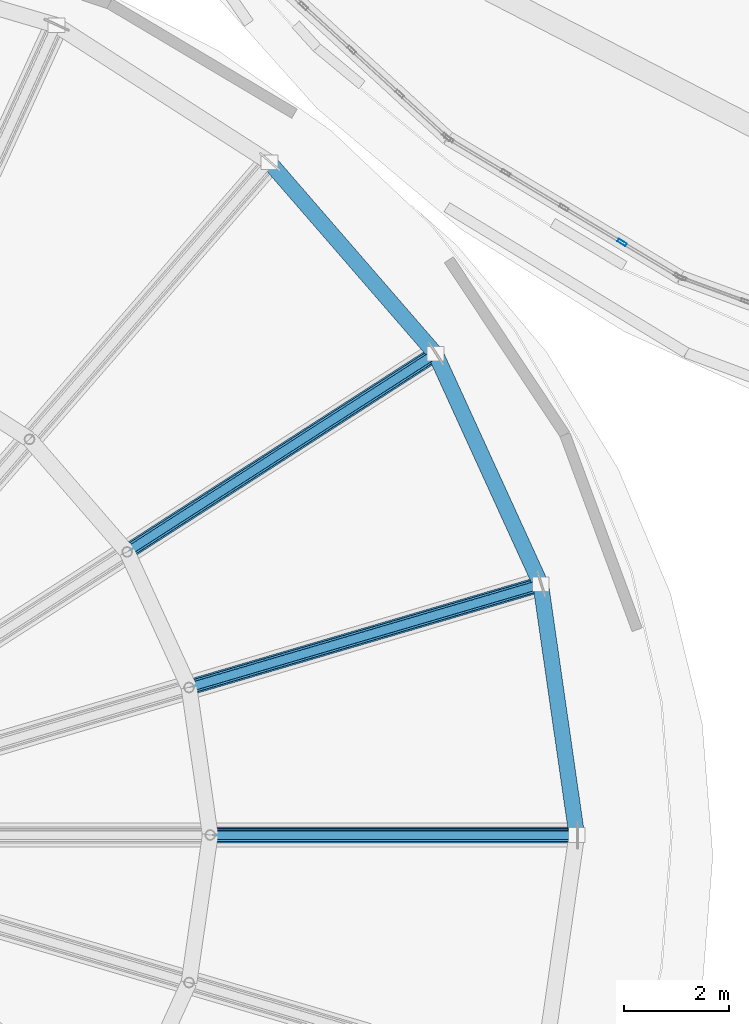
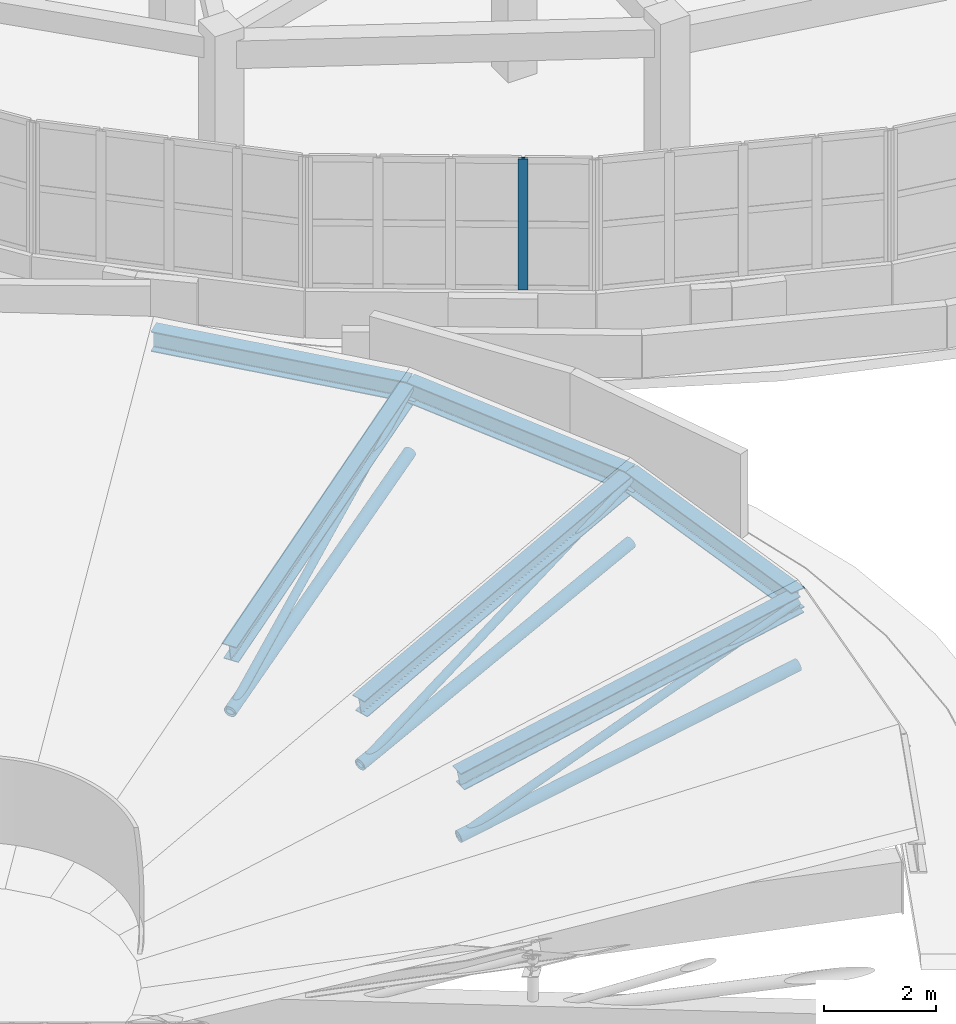
# One storey, part 10 of 69: 10 members, 3 beams, 1 element without a shape of its own.
"""IFC4 building model written with IfcOpenShell, lengths in metres."""

from ifc_helpers import new_model, si_unit, direction, frame, origin, origin_2d, place, context, subcontext, project, spatial, hollow_rectangle, hollow_circle, i_section, extrude, material, layer, layer_set, material_profile, profile_set, type_object, element, aggregate, save


model = new_model("IFC4")

# Units and contexts
model_context = context("Model", 3, precision=1e-05, world=origin(), true_north=direction((0.0, 1.0)))
body_context = subcontext(model_context, "Body", "Model", "MODEL_VIEW")
ifc_project = project(units=[si_unit("LENGTHUNIT", "METRE"), si_unit("AREAUNIT", "SQUARE_METRE"), si_unit("VOLUMEUNIT", "CUBIC_METRE"), si_unit("PLANEANGLEUNIT", "RADIAN"), si_unit("MASSUNIT", "GRAM", prefix="KILO")], contexts=[model_context])

# Site, building, storey
site_placement = place(None, origin())
site = spatial("IfcSite", under=ifc_project, at=site_placement, CompositionType="ELEMENT")
building_placement = place(site_placement, origin())
building = spatial("IfcBuilding", under=site, at=building_placement, Name="Pelvatis Terrace Science Centre", CompositionType="ELEMENT")
storey_placement = place(building_placement, frame((0.0, 0.0, 15.0)))
storey = spatial("IfcBuildingStorey", under=building, at=storey_placement, Name="L03", CompositionType="ELEMENT", Elevation=15.0)

# Beams
ifc_material_1 = material(Name="Structural steel S355", Category="steel")
ifc_material_profile_1 = material_profile(ifc_material_1, i_section(OverallWidth=0.300048828125, OverallDepth=0.43994140625, WebThickness=0.011474609375, FlangeThickness=0.02099609375, FilletRadius=0.027099609375, at=origin_2d()), Name="HEA 450")
ifc_profile_set_1 = profile_set([ifc_material_profile_1], Name="Structural steel S355")
beam_type = type_object("IfcBeamType", Name="BM-STL-HEA450", PredefinedType="BEAM", material=ifc_profile_set_1)
beam_1_placement = place(storey_placement, frame((95.0, 54.60009765625, 1.39990234375), z_axis=(-0.142339615489, 0.989817879139, 0.0), x_axis=(-0.989817879139, -0.142339615489, 0.0)))
element("IfcBeam", 1, at=beam_1_placement, inside=storey, type_object=beam_type, Name="Bowl roof circumferential out member 01", PredefinedType="BEAM", context=body_context, shape_type="SweptSolid", body=[
    extrude(i_section(OverallWidth=0.300048828125, OverallDepth=0.43994140625, WebThickness=0.011474609375, FlangeThickness=0.02099609375, FilletRadius=0.027099609375, at=origin_2d()), origin(), (0.0, 0.0, 1.0), 4.838623046875),
])
beam_2_placement = place(storey_placement, frame((94.311279296875, 59.389404296875, 1.39990234375), z_axis=(-0.415391282796, 0.909642832202, 0.0), x_axis=(-0.909642832202, -0.415391282796, 0.0)))
element("IfcBeam", 2, at=beam_2_placement, inside=storey, type_object=beam_type, Name="Bowl roof circumferential out member 02", PredefinedType="BEAM", context=body_context, shape_type="SweptSolid", body=[
    extrude(i_section(OverallWidth=0.300048828125, OverallDepth=0.43994140625, WebThickness=0.011474609375, FlangeThickness=0.02099609375, FilletRadius=0.027099609375, at=origin_2d()), origin(), (0.0, 0.0, 1.0), 4.8388671875),
])
beam_3_placement = place(storey_placement, frame((92.30126953125, 63.791015625, 1.39990234375), z_axis=(-0.654874829596, 0.755737360173, 0.0), x_axis=(-0.755737360173, -0.654874829596, 0.0)))
element("IfcBeam", 3, at=beam_3_placement, inside=storey, type_object=beam_type, Name="Bowl roof circumferential out member 03", PredefinedType="BEAM", context=body_context, shape_type="SweptSolid", body=[
    extrude(i_section(OverallWidth=0.300048828125, OverallDepth=0.43994140625, WebThickness=0.011474609375, FlangeThickness=0.02099609375, FilletRadius=0.027099609375, at=origin_2d()), origin(), (0.0, 0.0, 1.0), 4.838623046875),
])

# Curtain wall, member
ifc_material_2 = material(Name="Bronze-anodised aluminium and laminated glass", Category="aluminium")
ifc_layer = layer(ifc_material_2, 0.179931640625)
ifc_layer_set = layer_set([ifc_layer], Name="Bronze-anodised aluminium and laminated glass")
curtain_wall_type = type_object("IfcCurtainWallType", Name="CW-RIBBON-A", PredefinedType="NOTDEFINED", material=ifc_layer_set)
curtain_wall_placement = place(storey_placement, origin())
curtain_wall = element("IfcCurtainWall", 4, at=curtain_wall_placement, inside=storey, type_object=curtain_wall_type, Name="Ribbon curtain wall CW-202 (L03)", PredefinedType="NOTDEFINED")
ifc_material_3 = material(Name="Bronze-anodised aluminium 6063-T6", Category="aluminium")
ifc_material_profile_2 = material_profile(ifc_material_3, hollow_rectangle(XDim=0.06005859375, YDim=0.179931640625, WallThickness=0.00390625, at=origin_2d()), Name="ALU-MUL 60x180")
ifc_profile_set_2 = profile_set([ifc_material_profile_2], Name="Bronze-anodised aluminium 6063-T6")
member_type_1 = type_object("IfcMemberType", Name="CWM-60x180", PredefinedType="MULLION", material=ifc_profile_set_2)
member_1_placement = place(storey_placement, frame((95.864990234375, 65.915771484375, 1.02001953125), z_axis=(0.0, 0.0, 1.0), x_axis=(0.51399559594, 0.857792823096, 0.0)))
member_1 = element("IfcMember", 5, at=member_1_placement, type_object=member_type_1, Name="CW-202 mullion 4", PredefinedType="MULLION", context=body_context, shape_type="SweptSolid", body=[
    extrude(hollow_rectangle(XDim=0.06005859375, YDim=0.179931640625, WallThickness=0.00390625, at=origin_2d()), origin(), (0.0, 0.0, 1.0), 2.85009765625),
])
aggregate(curtain_wall, [member_1])

# Members
ifc_material_4 = material(Name="Structural steel S355", Category="steel")
ifc_material_profile_3 = material_profile(ifc_material_4, hollow_circle(Radius=0.084228515625, WallThickness=0.00634765625, at=origin_2d()), Name="CHS 168.3x6.3")
ifc_profile_set_3 = profile_set([ifc_material_profile_3], Name="Structural steel S355")
member_type_2 = type_object("IfcMemberType", Name="MEM-BRC-CHS168", PredefinedType="BRACE", material=ifc_profile_set_3)
member_2_placement = place(storey_placement, frame((95.0, 54.60009765625, 1.39990234375), z_axis=(-0.933003843521, 0.0, -0.359866402954), x_axis=(0.0, -1.0, 0.0)))
element("IfcMember", 6, at=member_2_placement, inside=storey, type_object=member_type_2, Name="Bowl truss web brace 01.3", PredefinedType="BRACE", context=body_context, shape_type="SweptSolid", body=[
    extrude(hollow_circle(Radius=0.084228515625, WallThickness=0.00634765625, at=origin_2d()), origin(), (0.0, 0.0, 1.0), 7.502685546875),
])
member_3_placement = place(storey_placement, frame((94.311279296875, 59.389404296875, 1.39990234375), z_axis=(-0.895205610631, -0.26286699101, -0.359872004652), x_axis=(0.281743319258, -0.959489813418, 0.0)))
element("IfcMember", 7, at=member_3_placement, inside=storey, type_object=member_type_2, Name="Bowl truss web brace 02.3", PredefinedType="BRACE", context=body_context, shape_type="SweptSolid", body=[
    extrude(hollow_circle(Radius=0.084228515625, WallThickness=0.00634765625, at=origin_2d()), origin(), (0.0, 0.0, 1.0), 7.50244140625),
])
member_4_placement = place(storey_placement, frame((92.30126953125, 63.791015625, 1.39990234375), z_axis=(-0.784877898523, -0.504443498462, -0.359865865662), x_axis=(0.540665925354, -0.841237396435, 0.0)))
element("IfcMember", 8, at=member_4_placement, inside=storey, type_object=member_type_2, Name="Bowl truss web brace 03.3", PredefinedType="BRACE", context=body_context, shape_type="SweptSolid", body=[
    extrude(hollow_circle(Radius=0.084228515625, WallThickness=0.00634765625, at=origin_2d()), origin(), (0.0, 0.0, 1.0), 7.502685546875),
])
ifc_material_5 = material(Name="Structural steel S355", Category="steel")
ifc_material_profile_4 = material_profile(ifc_material_5, hollow_circle(Radius=0.122314453125, WallThickness=0.010009765625, at=origin_2d()), Name="CHS 244.5x10.0")
ifc_profile_set_4 = profile_set([ifc_material_profile_4], Name="Structural steel S355")
member_type_3 = type_object("IfcMemberType", Name="MEM-CHD-CHS244", PredefinedType="CHORD", material=ifc_profile_set_4)
for number, where, z_axis, x_axis, name in (
    (9, (95.0, 54.60009765625, 0.0), (-0.983187504857, 0.0, -0.18259882336), (0.0, -1.0, 0.0), "Bowl truss outer bottom chord 01"),
    (10, (94.311279296875, 59.389404296875, 0.0), (-0.943357833134, -0.277006345913, -0.182601979696), (0.281743319258, -0.959489813418, 0.0), "Bowl truss outer bottom chord 02"),
    (11, (92.30126953125, 63.791015625, 0.0), (-0.827094144093, -0.531576012509, -0.182598520618), (0.540665925354, -0.841237396435, 0.0), "Bowl truss outer bottom chord 03"),
):
    element("IfcMember", number, at=place(storey_placement, frame(where, z_axis=z_axis, x_axis=x_axis)), inside=storey, type_object=member_type_3, Name=name, PredefinedType="CHORD", context=body_context, shape_type="SweptSolid", body=[
        extrude(hollow_circle(Radius=0.122314453125, WallThickness=0.010009765625, at=origin_2d()), origin(), (0.0, 0.0, 1.0), 7.11962890625),
    ])
ifc_material_6 = material(Name="Structural steel S355", Category="steel")
ifc_material_profile_5 = material_profile(ifc_material_6, i_section(OverallWidth=0.300048828125, OverallDepth=0.389892578125, WebThickness=0.010986328125, FlangeThickness=0.01904296875, FilletRadius=0.027099609375, at=origin_2d()), Name="HEA 400")
ifc_profile_set_5 = profile_set([ifc_material_profile_5], Name="Structural steel S355")
member_type_4 = type_object("IfcMemberType", Name="MEM-CHD-HEA400", PredefinedType="CHORD", material=ifc_profile_set_5)
member_5_placement = place(storey_placement, frame((95.0, 54.60009765625, 1.39990234375), z_axis=(-0.980040627755, 0.0, -0.198797303677), x_axis=(0.0, -1.0, 0.0)))
element("IfcMember", 12, at=member_5_placement, inside=storey, type_object=member_type_4, Name="Bowl truss outer top chord 01", PredefinedType="CHORD", context=body_context, shape_type="SweptSolid", body=[
    extrude(i_section(OverallWidth=0.300048828125, OverallDepth=0.389892578125, WebThickness=0.010986328125, FlangeThickness=0.01904296875, FilletRadius=0.027099609375, at=origin_2d()), origin(), (0.0, 0.0, 1.0), 7.142578125),
])
member_6_placement = place(storey_placement, frame((94.311279296875, 59.389404296875, 1.39990234375), z_axis=(-0.940338334526, -0.276119704337, -0.198800718052), x_axis=(0.281743319258, -0.959489813418, 0.0)))
element("IfcMember", 13, at=member_6_placement, inside=storey, type_object=member_type_4, Name="Bowl truss outer top chord 02", PredefinedType="CHORD", context=body_context, shape_type="SweptSolid", body=[
    extrude(i_section(OverallWidth=0.300048828125, OverallDepth=0.389892578125, WebThickness=0.010986328125, FlangeThickness=0.01904296875, FilletRadius=0.027099609375, at=origin_2d()), origin(), (0.0, 0.0, 1.0), 7.142333984375),
])
member_7_placement = place(storey_placement, frame((92.30126953125, 63.791015625, 1.39990234375), z_axis=(-0.824446881977, -0.529874608806, -0.198796976185), x_axis=(0.540665925354, -0.841237396435, 0.0)))
element("IfcMember", 14, at=member_7_placement, inside=storey, type_object=member_type_4, Name="Bowl truss outer top chord 03", PredefinedType="CHORD", context=body_context, shape_type="SweptSolid", body=[
    extrude(i_section(OverallWidth=0.300048828125, OverallDepth=0.389892578125, WebThickness=0.010986328125, FlangeThickness=0.01904296875, FilletRadius=0.027099609375, at=origin_2d()), origin(), (0.0, 0.0, 1.0), 7.142578125),
])

save(model, "model.ifc")
